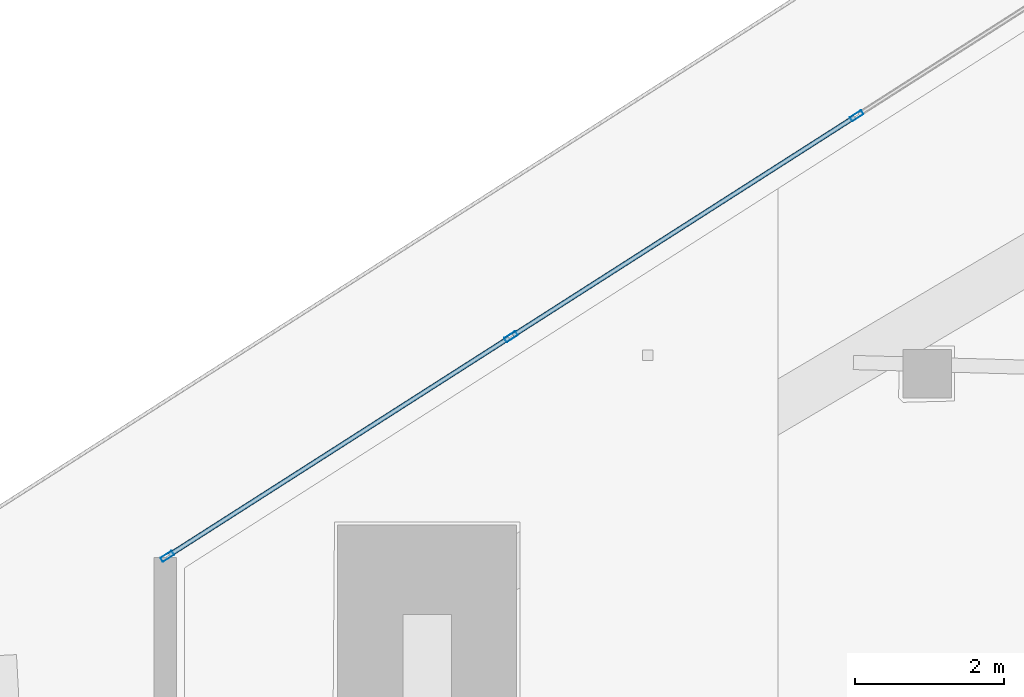
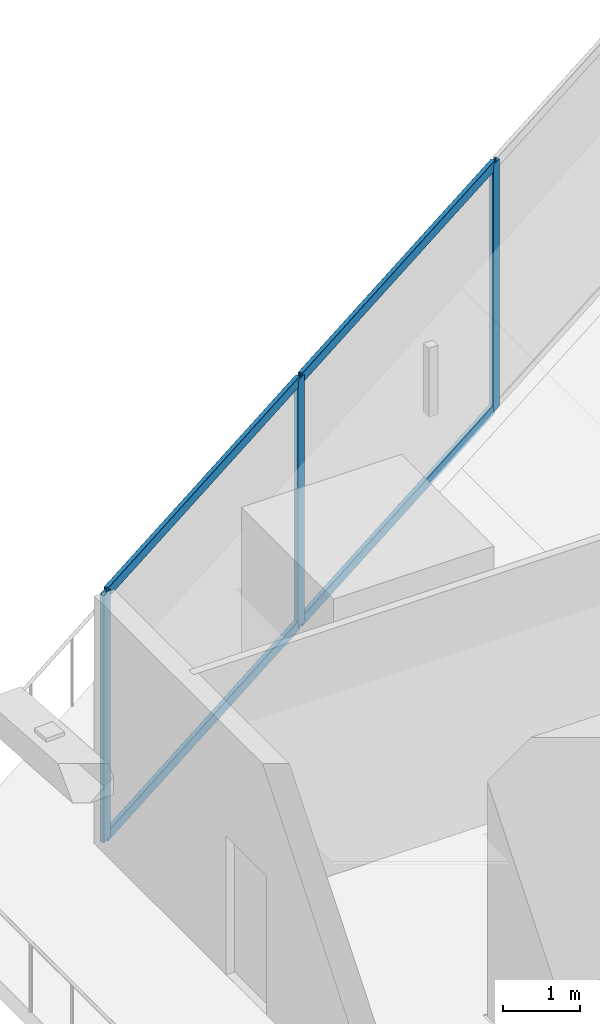
# One storey, part 14 of 45: 7 members, 1 element without a shape of its own.
"""IFC4 building model written with IfcOpenShell, lengths in metres."""

import ifcopenshell
import ifcopenshell.guid

model = None  # the IFC model being written
_history = None  # IfcOwnerHistory: only IFC2X3 demands one
_inside = {}  # id of a spatial element -> (the spatial element, [elements in it])
_under = {}  # id of a project, library or spatial element -> (it, [spatial elements below it])
_declared = {}  # id of a project -> (the project, [libraries it declares])
_typed = {}  # id of a type object -> (the type object, [elements of that type])
_made_of = {}  # id of a material, layer set ... -> (it, [elements and type objects made of it])


def new_model(schema):
    """Start an empty IFC model of exactly this schema.

    Asked for "IFC4X3", IfcOpenShell would pick the latest addendum, in which some entities
    have other attributes; the version numbers below select the first issue.
    IFC2X3 requires an IfcOwnerHistory on every rooted entity: one is made here for all.
    """
    global model, _history
    if schema == "IFC4X3":
        model = ifcopenshell.file(schema_version=(4, 3, 0, 0))
    else:
        model = ifcopenshell.file(schema=schema)
    _inside.clear()
    _under.clear()
    _declared.clear()
    _typed.clear()
    _made_of.clear()
    _history = None
    if model.schema == "IFC2X3":
        org = make("IfcOrganization", Name="unknown")
        user = make(
            "IfcPersonAndOrganization",
            ThePerson=make("IfcPerson", FamilyName="unknown"),
            TheOrganization=org,
        )
        app = make(
            "IfcApplication",
            ApplicationDeveloper=org,
            Version="unknown",
            ApplicationFullName="unknown",
            ApplicationIdentifier="unknown",
        )
        _history = make(
            "IfcOwnerHistory",
            OwningUser=user,
            OwningApplication=app,
            ChangeAction="ADDED",
            CreationDate=0,
        )
    return model


def make(cls, **values):
    """One entity of the class cls with the attributes given. An attribute that is None is left unset."""
    return model.create_entity(
        cls, **{name: value for name, value in values.items() if value is not None}
    )


def rooted(cls, **values):
    """An entity with a GlobalId (a new one), such as an element, a storey or a relation."""
    return make(cls, GlobalId=ifcopenshell.guid.new(), OwnerHistory=_history, **values)


def si_unit(unit_type, name, prefix=None):
    """IfcSIUnit, for example si_unit("LENGTHUNIT", "METRE", prefix="MILLI")."""
    return make("IfcSIUnit", UnitType=unit_type, Prefix=prefix, Name=name)


def assignment(units):
    """IfcUnitAssignment: the units of a project."""
    return None if units is None else make("IfcUnitAssignment", Units=units)


def point(xyz):
    """IfcCartesianPoint."""
    return None if xyz is None else make("IfcCartesianPoint", Coordinates=xyz)


def direction(xyz):
    """IfcDirection."""
    return None if xyz is None else make("IfcDirection", DirectionRatios=xyz)


def frame(location, z_axis=None, x_axis=None):
    """IfcAxis2Placement3D, a coordinate frame: its origin and axes. An axis left out is left unset."""
    return make(
        "IfcAxis2Placement3D",
        Location=point(location),
        Axis=direction(z_axis),
        RefDirection=direction(x_axis),
    )


def frame_2d(location, x_axis=None):
    """IfcAxis2Placement2D, a coordinate frame in the plane: its origin and x axis."""
    return make(
        "IfcAxis2Placement2D", Location=point(location), RefDirection=direction(x_axis)
    )


def origin():
    """The frame at (0, 0, 0) with its axes left unset."""
    return frame((0.0, 0.0, 0.0))


def origin_2d():
    """The frame at (0, 0) in the plane with its x axis left unset."""
    return frame_2d((0.0, 0.0))


def place(relative_to, where):
    """IfcLocalPlacement: puts the frame where relative to a parent placement (None: the world)."""
    return make(
        "IfcLocalPlacement", PlacementRelTo=relative_to, RelativePlacement=where
    )


def context(
    kind, dimensions, precision=None, world=None, true_north=None, identifier=None
):
    """IfcGeometricRepresentationContext, for example the 3D "Model" context."""
    return make(
        "IfcGeometricRepresentationContext",
        ContextIdentifier=identifier,
        ContextType=kind,
        CoordinateSpaceDimension=dimensions,
        Precision=precision,
        WorldCoordinateSystem=world,
        TrueNorth=true_north,
    )


def subcontext(parent, identifier, kind, view, scale=None):
    """IfcGeometricRepresentationSubContext, for example "Body" below "Model"."""
    return make(
        "IfcGeometricRepresentationSubContext",
        ContextIdentifier=identifier,
        ContextType=kind,
        ParentContext=parent,
        TargetScale=scale,
        TargetView=view,
    )


def project(units=None, contexts=None):
    """IfcProject with its units and contexts."""
    return rooted(
        "IfcProject",
        Name="project",
        RepresentationContexts=contexts,
        UnitsInContext=assignment(units),
    )


def spatial(cls, under=None, at=None, **own):
    """A site, building, storey or space (cls), placed at a placement, below another one or the project."""
    s = rooted(cls, ObjectPlacement=at, **own)
    if under is not None:
        _under.setdefault(under.id(), (under, []))[1].append(s)
    return s


def profile(cls, at=None, kind="AREA", **sizes):
    """A parametric profile (cls). Its sizes go by their IFC names, for example OverallWidth=200.0."""
    return make(cls, ProfileType=kind, Position=at, **sizes)


def hollow_rectangle(**sizes):
    """IfcRectangleHollowProfileDef."""
    return profile("IfcRectangleHollowProfileDef", **sizes)


def extrude(swept, where, along, depth):
    """IfcExtrudedAreaSolid: the profile swept, set in the frame where, extruded along a direction by depth."""
    return make(
        "IfcExtrudedAreaSolid",
        SweptArea=swept,
        Position=where,
        ExtrudedDirection=direction(along),
        Depth=depth,
    )


def shape(context_of_items, identifier, shape_type, items):
    """IfcShapeRepresentation: the items that make up one representation, for example the "Body"."""
    return make(
        "IfcShapeRepresentation",
        ContextOfItems=context_of_items,
        RepresentationIdentifier=identifier,
        RepresentationType=shape_type,
        Items=items,
    )


def material(Name=None, Category=None):
    """IfcMaterial."""
    return make("IfcMaterial", Name=Name, Category=Category)


def layer(
    of_material, thickness, ventilated=None, Name=None, Category=None, Priority=None
):
    """IfcMaterialLayer: one layer of a wall or slab, of a material (None: an air gap)."""
    return make(
        "IfcMaterialLayer",
        Material=of_material,
        LayerThickness=thickness,
        IsVentilated=ventilated,
        Name=Name,
        Category=Category,
        Priority=Priority,
    )


def layer_set(layers, Name=None):
    """IfcMaterialLayerSet."""
    return make("IfcMaterialLayerSet", MaterialLayers=layers, LayerSetName=Name)


def material_profile(
    of_material, cross_section, Name=None, Category=None, Priority=None
):
    """IfcMaterialProfile: a cross section and its material."""
    return make(
        "IfcMaterialProfile",
        Name=Name,
        Material=of_material,
        Profile=cross_section,
        Priority=Priority,
        Category=Category,
    )


def profile_set(profiles, Name=None, composite=None):
    """IfcMaterialProfileSet."""
    return make(
        "IfcMaterialProfileSet",
        Name=Name,
        MaterialProfiles=profiles,
        CompositeProfile=composite,
    )


def made_of(thing, what):
    """Note that an element or type object is made of a material, layer set ...; save() writes the relation."""
    if what is not None:
        _made_of.setdefault(what.id(), (what, []))[1].append(thing)
    return thing


def type_object(cls, material=None, **own):
    """A type object (cls), such as IfcWallType, which elements share."""
    return made_of(rooted(cls, **own), material)


def element(
    cls,
    number,
    at=None,
    inside=None,
    cuts=None,
    type_object=None,
    material=None,
    context=None,
    identifier="Body",
    shape_type=None,
    held_by="IfcProductDefinitionShape",
    body=None,
    shapes=None,
    **own,
):
    """One element of the class cls, such as IfcWall. Its Tag is "e" and its number.

    at: its placement. inside: the storey or other place that contains it. cuts: it is an
    opening in that element (IfcRelVoidsElement). A single representation is given by context,
    identifier, shape_type and body (its items); several are given by shapes. held_by: the class
    of the entity that holds the representations. save() writes the other relations.
    """
    e = rooted(cls, Tag="e%d" % number, ObjectPlacement=at, **own)
    if body is not None:
        shapes = [shape(context, identifier, shape_type, body)]
    if shapes is not None:
        e.Representation = make(held_by, Representations=shapes)
    if inside is not None:
        _inside.setdefault(inside.id(), (inside, []))[1].append(e)
    if cuts is not None:
        rooted(
            "IfcRelVoidsElement", RelatingBuildingElement=cuts, RelatedOpeningElement=e
        )
    if type_object is not None:
        _typed.setdefault(type_object.id(), (type_object, []))[1].append(e)
    return made_of(e, material)


def aggregate(whole, parts):
    """IfcRelAggregates: a whole, such as a stair, and the parts it consists of."""
    return rooted("IfcRelAggregates", RelatingObject=whole, RelatedObjects=parts)


def save(model, path):
    """Write the relations noted so far, then the file.

    IfcRelAggregates (storeys below a building ...), IfcRelContainedInSpatialStructure (elements
    in a storey), IfcRelDefinesByType, IfcRelAssociatesMaterial and IfcRelDeclares: one each for
    every whole, place, type object, material and project.
    """
    for whole, parts in _under.values():
        aggregate(whole, parts)
    for where, things in _inside.values():
        rooted(
            "IfcRelContainedInSpatialStructure",
            RelatedElements=things,
            RelatingStructure=where,
        )
    for kind, things in _typed.values():
        rooted("IfcRelDefinesByType", RelatedObjects=things, RelatingType=kind)
    for what, things in _made_of.values():
        rooted("IfcRelAssociatesMaterial", RelatedObjects=things, RelatingMaterial=what)
    for by, libraries in _declared.values():
        rooted("IfcRelDeclares", RelatingContext=by, RelatedDefinitions=libraries)
    model.write(path)


model = new_model("IFC4")

# Units and contexts
model_context = context("Model", 3, precision=1e-05, world=origin(), true_north=direction((0.0, 1.0)))
body_context = subcontext(model_context, "Body", "Model", "MODEL_VIEW")
ifc_project = project(units=[si_unit("LENGTHUNIT", "METRE"), si_unit("AREAUNIT", "SQUARE_METRE"), si_unit("VOLUMEUNIT", "CUBIC_METRE"), si_unit("PLANEANGLEUNIT", "RADIAN"), si_unit("MASSUNIT", "GRAM", prefix="KILO")], contexts=[model_context])

# Site, building, storey
site_placement = place(None, origin())
site = spatial("IfcSite", under=ifc_project, at=site_placement, CompositionType="ELEMENT")
building_placement = place(site_placement, origin())
building = spatial("IfcBuilding", under=site, at=building_placement, Name="Qorvath Tower", CompositionType="ELEMENT")
storey_placement = place(building_placement, frame((0.0, 0.0, 91.199951171875)))
storey = spatial("IfcBuildingStorey", under=building, at=storey_placement, Name="L20", CompositionType="ELEMENT", Elevation=91.199951171875)

# Curtain wall, members
ifc_material_1 = material(Name="Anodised aluminium and triple low-E glass", Category="aluminium")
ifc_layer = layer(ifc_material_1, 0.179931640625)
ifc_layer_set = layer_set([ifc_layer], Name="CW-SYS-2")
curtain_wall_type = type_object("IfcCurtainWallType", Name="CW-SYS-2", PredefinedType="NOTDEFINED", material=ifc_layer_set)
curtain_wall_placement = place(storey_placement, origin())
curtain_wall = element("IfcCurtainWall", 1, at=curtain_wall_placement, inside=storey, type_object=curtain_wall_type, Name="Curtain Wall CW-2 CW-T-L20-16.4", PredefinedType="NOTDEFINED")
ifc_material_2 = material(Name="Anodised aluminium 6063-T6", Category="aluminium")
ifc_material_profile_1 = material_profile(ifc_material_2, hollow_rectangle(XDim=0.06494140625, YDim=0.179931640625, WallThickness=0.00341796875, InnerFilletRadius=0.00341796875, OuterFilletRadius=0.007080078125, at=origin_2d()), Name="CWM 180x65")
ifc_profile_set_1 = profile_set([ifc_material_profile_1], Name="Anodised aluminium 6063-T6")
member_type_1 = type_object("IfcMemberType", Name="CWM-180", PredefinedType="MULLION", material=ifc_profile_set_1)
member_1_placement = place(storey_placement, frame((-49.524658203125, 9.881591796875, 0.0), z_axis=(0.0, 0.0, 1.0), x_axis=(0.53852928912, -0.842606791309, 0.0)))
member_1 = element("IfcMember", 2, at=member_1_placement, type_object=member_type_1, Name="CW-2 mullion 4", PredefinedType="MULLION", context=body_context, shape_type="SweptSolid", body=[
    extrude(hollow_rectangle(XDim=0.06494140625, YDim=0.179931640625, WallThickness=0.00341796875, InnerFilletRadius=0.00341796875, OuterFilletRadius=0.007080078125, at=origin_2d()), origin(), (0.0, 0.0, 1.0), 3.920166015625),
])
member_2_placement = place(storey_placement, frame((-54.158935546875, 6.919677734375, 0.0), z_axis=(0.0, 0.0, 1.0), x_axis=(0.53852928912, -0.842606791309, 0.0)))
member_2 = element("IfcMember", 3, at=member_2_placement, type_object=member_type_1, Name="CW-2 mullion 5", PredefinedType="MULLION", context=body_context, shape_type="SweptSolid", body=[
    extrude(hollow_rectangle(XDim=0.06494140625, YDim=0.179931640625, WallThickness=0.00341796875, InnerFilletRadius=0.00341796875, OuterFilletRadius=0.007080078125, at=origin_2d()), origin(), (0.0, 0.0, 1.0), 3.920166015625),
])
member_3_placement = place(storey_placement, frame((-58.765869140625, 3.975341796875, 0.0), z_axis=(0.0, 0.0, 1.0), x_axis=(0.53852928912, -0.842606791309, 0.0)))
member_3 = element("IfcMember", 4, at=member_3_placement, type_object=member_type_1, Name="CW-2 mullion 6", PredefinedType="MULLION", context=body_context, shape_type="SweptSolid", body=[
    extrude(hollow_rectangle(XDim=0.06494140625, YDim=0.179931640625, WallThickness=0.00341796875, InnerFilletRadius=0.00341796875, OuterFilletRadius=0.007080078125, at=origin_2d()), origin(), (0.0, 0.0, 1.0), 3.920166015625),
])
ifc_material_3 = material(Name="Anodised aluminium 6063-T6", Category="aluminium")
ifc_material_profile_2 = material_profile(ifc_material_3, hollow_rectangle(XDim=0.06494140625, YDim=0.159912109375, WallThickness=0.00341796875, InnerFilletRadius=0.00341796875, OuterFilletRadius=0.007080078125, at=origin_2d()), Name="CWT 160x65")
ifc_profile_set_2 = profile_set([ifc_material_profile_2], Name="Anodised aluminium 6063-T6")
member_type_2 = type_object("IfcMemberType", Name="CWT-160", PredefinedType="USERDEFINED", material=ifc_profile_set_2)
member_4_placement = place(storey_placement, frame((-49.552001953125, 9.864013671875, 0.032470703125), z_axis=(-0.842620391035, -0.538508009794, 0.0), x_axis=(0.538508009794, -0.842620391035, 0.0)))
member_4 = element("IfcMember", 5, at=member_4_placement, type_object=member_type_2, Name="CW-2 transom 4.1", ObjectType="TRANSOM", PredefinedType="USERDEFINED", context=body_context, shape_type="SweptSolid", body=[
    extrude(hollow_rectangle(XDim=0.06494140625, YDim=0.159912109375, WallThickness=0.00341796875, InnerFilletRadius=0.00341796875, OuterFilletRadius=0.007080078125, at=origin_2d()), origin(), (0.0, 0.0, 1.0), 5.43505859375),
])
member_5_placement = place(storey_placement, frame((-49.552001953125, 9.864013671875, 3.8876953125), z_axis=(-0.842620391035, -0.538508009794, 0.0), x_axis=(0.538508009794, -0.842620391035, 0.0)))
member_5 = element("IfcMember", 6, at=member_5_placement, type_object=member_type_2, Name="CW-2 transom 4.2", ObjectType="TRANSOM", PredefinedType="USERDEFINED", context=body_context, shape_type="SweptSolid", body=[
    extrude(hollow_rectangle(XDim=0.06494140625, YDim=0.159912109375, WallThickness=0.00341796875, InnerFilletRadius=0.00341796875, OuterFilletRadius=0.007080078125, at=origin_2d()), origin(), (0.0, 0.0, 1.0), 5.43505859375),
])
member_6_placement = place(storey_placement, frame((-54.186279296875, 6.902099609375, 0.032470703125), z_axis=(-0.842629048845, -0.538494462407, 0.0), x_axis=(0.538494462407, -0.842629048845, 0.0)))
member_6 = element("IfcMember", 7, at=member_6_placement, type_object=member_type_2, Name="CW-2 transom 5.1", ObjectType="TRANSOM", PredefinedType="USERDEFINED", context=body_context, shape_type="SweptSolid", body=[
    extrude(hollow_rectangle(XDim=0.06494140625, YDim=0.159912109375, WallThickness=0.00341796875, InnerFilletRadius=0.00341796875, OuterFilletRadius=0.007080078125, at=origin_2d()), origin(), (0.0, 0.0, 1.0), 5.40234375),
])
member_7_placement = place(storey_placement, frame((-54.186279296875, 6.902099609375, 3.8876953125), z_axis=(-0.842629048845, -0.538494462407, 0.0), x_axis=(0.538494462407, -0.842629048845, 0.0)))
member_7 = element("IfcMember", 8, at=member_7_placement, type_object=member_type_2, Name="CW-2 transom 5.2", ObjectType="TRANSOM", PredefinedType="USERDEFINED", context=body_context, shape_type="SweptSolid", body=[
    extrude(hollow_rectangle(XDim=0.06494140625, YDim=0.159912109375, WallThickness=0.00341796875, InnerFilletRadius=0.00341796875, OuterFilletRadius=0.007080078125, at=origin_2d()), origin(), (0.0, 0.0, 1.0), 5.40234375),
])
aggregate(curtain_wall, [member_1, member_2, member_3, member_4, member_5, member_6, member_7])

save(model, "model.ifc")
